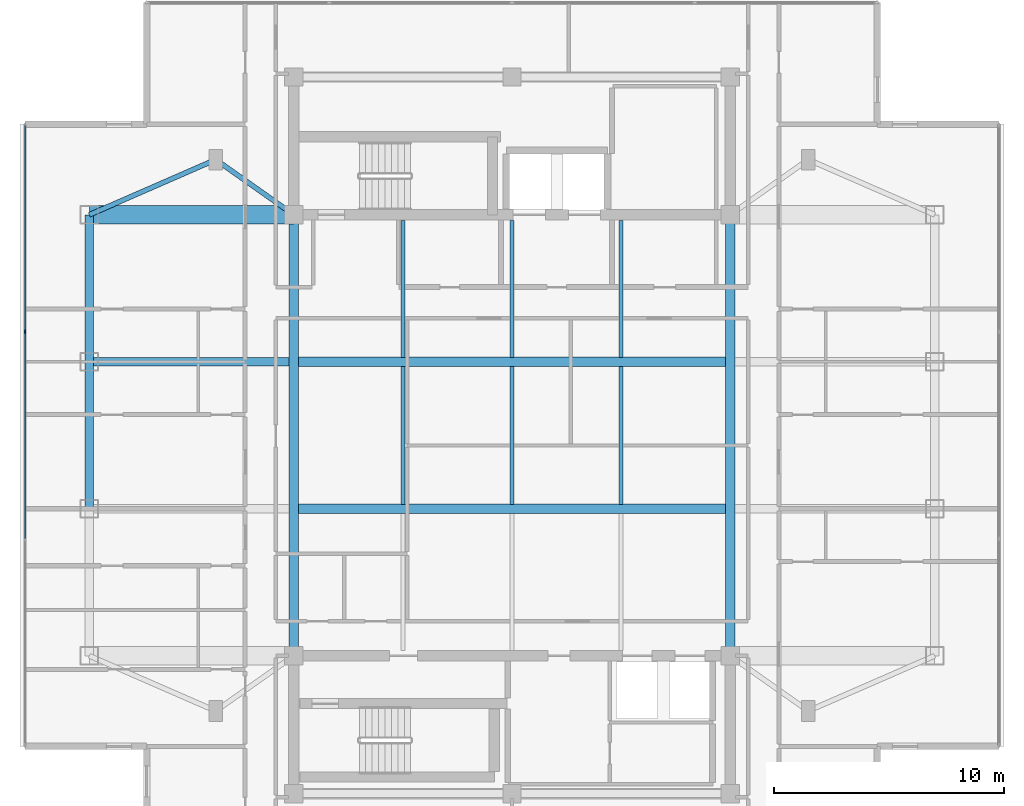
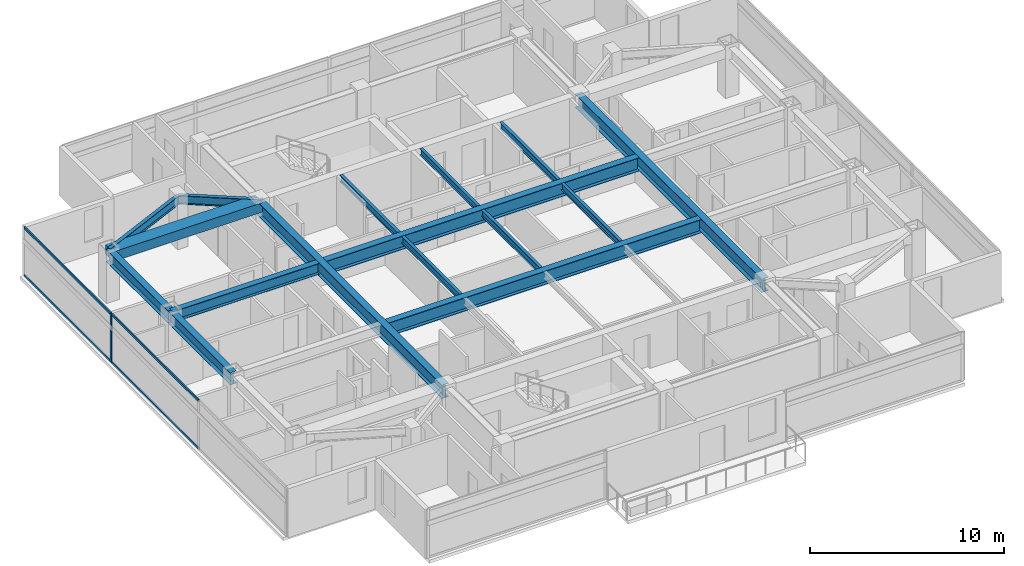
# One storey, part 3 of 14: 16 beams, 5 members, 1 element without a shape of its own.
"""IFC4 building model written with IfcOpenShell, lengths in metres."""

import ifcopenshell
import ifcopenshell.guid

model = None  # the IFC model being written
_history = None  # IfcOwnerHistory: only IFC2X3 demands one
_inside = {}  # id of a spatial element -> (the spatial element, [elements in it])
_under = {}  # id of a project, library or spatial element -> (it, [spatial elements below it])
_declared = {}  # id of a project -> (the project, [libraries it declares])
_typed = {}  # id of a type object -> (the type object, [elements of that type])
_made_of = {}  # id of a material, layer set ... -> (it, [elements and type objects made of it])


def new_model(schema):
    """Start an empty IFC model of exactly this schema.

    Asked for "IFC4X3", IfcOpenShell would pick the latest addendum, in which some entities
    have other attributes; the version numbers below select the first issue.
    IFC2X3 requires an IfcOwnerHistory on every rooted entity: one is made here for all.
    """
    global model, _history
    if schema == "IFC4X3":
        model = ifcopenshell.file(schema_version=(4, 3, 0, 0))
    else:
        model = ifcopenshell.file(schema=schema)
    _inside.clear()
    _under.clear()
    _declared.clear()
    _typed.clear()
    _made_of.clear()
    _history = None
    if model.schema == "IFC2X3":
        org = make("IfcOrganization", Name="unknown")
        user = make(
            "IfcPersonAndOrganization",
            ThePerson=make("IfcPerson", FamilyName="unknown"),
            TheOrganization=org,
        )
        app = make(
            "IfcApplication",
            ApplicationDeveloper=org,
            Version="unknown",
            ApplicationFullName="unknown",
            ApplicationIdentifier="unknown",
        )
        _history = make(
            "IfcOwnerHistory",
            OwningUser=user,
            OwningApplication=app,
            ChangeAction="ADDED",
            CreationDate=0,
        )
    return model


def make(cls, **values):
    """One entity of the class cls with the attributes given. An attribute that is None is left unset."""
    return model.create_entity(
        cls, **{name: value for name, value in values.items() if value is not None}
    )


def rooted(cls, **values):
    """An entity with a GlobalId (a new one), such as an element, a storey or a relation."""
    return make(cls, GlobalId=ifcopenshell.guid.new(), OwnerHistory=_history, **values)


def si_unit(unit_type, name, prefix=None):
    """IfcSIUnit, for example si_unit("LENGTHUNIT", "METRE", prefix="MILLI")."""
    return make("IfcSIUnit", UnitType=unit_type, Prefix=prefix, Name=name)


def assignment(units):
    """IfcUnitAssignment: the units of a project."""
    return None if units is None else make("IfcUnitAssignment", Units=units)


def point(xyz):
    """IfcCartesianPoint."""
    return None if xyz is None else make("IfcCartesianPoint", Coordinates=xyz)


def direction(xyz):
    """IfcDirection."""
    return None if xyz is None else make("IfcDirection", DirectionRatios=xyz)


def frame(location, z_axis=None, x_axis=None):
    """IfcAxis2Placement3D, a coordinate frame: its origin and axes. An axis left out is left unset."""
    return make(
        "IfcAxis2Placement3D",
        Location=point(location),
        Axis=direction(z_axis),
        RefDirection=direction(x_axis),
    )


def frame_2d(location, x_axis=None):
    """IfcAxis2Placement2D, a coordinate frame in the plane: its origin and x axis."""
    return make(
        "IfcAxis2Placement2D", Location=point(location), RefDirection=direction(x_axis)
    )


def origin():
    """The frame at (0, 0, 0) with its axes left unset."""
    return frame((0.0, 0.0, 0.0))


def origin_2d():
    """The frame at (0, 0) in the plane with its x axis left unset."""
    return frame_2d((0.0, 0.0))


def place(relative_to, where):
    """IfcLocalPlacement: puts the frame where relative to a parent placement (None: the world)."""
    return make(
        "IfcLocalPlacement", PlacementRelTo=relative_to, RelativePlacement=where
    )


def context(
    kind, dimensions, precision=None, world=None, true_north=None, identifier=None
):
    """IfcGeometricRepresentationContext, for example the 3D "Model" context."""
    return make(
        "IfcGeometricRepresentationContext",
        ContextIdentifier=identifier,
        ContextType=kind,
        CoordinateSpaceDimension=dimensions,
        Precision=precision,
        WorldCoordinateSystem=world,
        TrueNorth=true_north,
    )


def subcontext(parent, identifier, kind, view, scale=None):
    """IfcGeometricRepresentationSubContext, for example "Body" below "Model"."""
    return make(
        "IfcGeometricRepresentationSubContext",
        ContextIdentifier=identifier,
        ContextType=kind,
        ParentContext=parent,
        TargetScale=scale,
        TargetView=view,
    )


def project(units=None, contexts=None):
    """IfcProject with its units and contexts."""
    return rooted(
        "IfcProject",
        Name="project",
        RepresentationContexts=contexts,
        UnitsInContext=assignment(units),
    )


def spatial(cls, under=None, at=None, **own):
    """A site, building, storey or space (cls), placed at a placement, below another one or the project."""
    s = rooted(cls, ObjectPlacement=at, **own)
    if under is not None:
        _under.setdefault(under.id(), (under, []))[1].append(s)
    return s


def profile(cls, at=None, kind="AREA", **sizes):
    """A parametric profile (cls). Its sizes go by their IFC names, for example OverallWidth=200.0."""
    return make(cls, ProfileType=kind, Position=at, **sizes)


def rectangle(**sizes):
    """IfcRectangleProfileDef."""
    return profile("IfcRectangleProfileDef", **sizes)


def i_section(**sizes):
    """IfcIShapeProfileDef."""
    return profile("IfcIShapeProfileDef", **sizes)


def extrude(swept, where, along, depth):
    """IfcExtrudedAreaSolid: the profile swept, set in the frame where, extruded along a direction by depth."""
    return make(
        "IfcExtrudedAreaSolid",
        SweptArea=swept,
        Position=where,
        ExtrudedDirection=direction(along),
        Depth=depth,
    )


def shape(context_of_items, identifier, shape_type, items):
    """IfcShapeRepresentation: the items that make up one representation, for example the "Body"."""
    return make(
        "IfcShapeRepresentation",
        ContextOfItems=context_of_items,
        RepresentationIdentifier=identifier,
        RepresentationType=shape_type,
        Items=items,
    )


def material(Name=None, Category=None):
    """IfcMaterial."""
    return make("IfcMaterial", Name=Name, Category=Category)


def material_profile(
    of_material, cross_section, Name=None, Category=None, Priority=None
):
    """IfcMaterialProfile: a cross section and its material."""
    return make(
        "IfcMaterialProfile",
        Name=Name,
        Material=of_material,
        Profile=cross_section,
        Priority=Priority,
        Category=Category,
    )


def profile_set(profiles, Name=None, composite=None):
    """IfcMaterialProfileSet."""
    return make(
        "IfcMaterialProfileSet",
        Name=Name,
        MaterialProfiles=profiles,
        CompositeProfile=composite,
    )


def made_of(thing, what):
    """Note that an element or type object is made of a material, layer set ...; save() writes the relation."""
    if what is not None:
        _made_of.setdefault(what.id(), (what, []))[1].append(thing)
    return thing


def type_object(cls, material=None, **own):
    """A type object (cls), such as IfcWallType, which elements share."""
    return made_of(rooted(cls, **own), material)


def element(
    cls,
    number,
    at=None,
    inside=None,
    cuts=None,
    type_object=None,
    material=None,
    context=None,
    identifier="Body",
    shape_type=None,
    held_by="IfcProductDefinitionShape",
    body=None,
    shapes=None,
    **own,
):
    """One element of the class cls, such as IfcWall. Its Tag is "e" and its number.

    at: its placement. inside: the storey or other place that contains it. cuts: it is an
    opening in that element (IfcRelVoidsElement). A single representation is given by context,
    identifier, shape_type and body (its items); several are given by shapes. held_by: the class
    of the entity that holds the representations. save() writes the other relations.
    """
    e = rooted(cls, Tag="e%d" % number, ObjectPlacement=at, **own)
    if body is not None:
        shapes = [shape(context, identifier, shape_type, body)]
    if shapes is not None:
        e.Representation = make(held_by, Representations=shapes)
    if inside is not None:
        _inside.setdefault(inside.id(), (inside, []))[1].append(e)
    if cuts is not None:
        rooted(
            "IfcRelVoidsElement", RelatingBuildingElement=cuts, RelatedOpeningElement=e
        )
    if type_object is not None:
        _typed.setdefault(type_object.id(), (type_object, []))[1].append(e)
    return made_of(e, material)


def aggregate(whole, parts):
    """IfcRelAggregates: a whole, such as a stair, and the parts it consists of."""
    return rooted("IfcRelAggregates", RelatingObject=whole, RelatedObjects=parts)


def save(model, path):
    """Write the relations noted so far, then the file.

    IfcRelAggregates (storeys below a building ...), IfcRelContainedInSpatialStructure (elements
    in a storey), IfcRelDefinesByType, IfcRelAssociatesMaterial and IfcRelDeclares: one each for
    every whole, place, type object, material and project.
    """
    for whole, parts in _under.values():
        aggregate(whole, parts)
    for where, things in _inside.values():
        rooted(
            "IfcRelContainedInSpatialStructure",
            RelatedElements=things,
            RelatingStructure=where,
        )
    for kind, things in _typed.values():
        rooted("IfcRelDefinesByType", RelatedObjects=things, RelatingType=kind)
    for what, things in _made_of.values():
        rooted("IfcRelAssociatesMaterial", RelatedObjects=things, RelatingMaterial=what)
    for by, libraries in _declared.values():
        rooted("IfcRelDeclares", RelatingContext=by, RelatedDefinitions=libraries)
    model.write(path)


model = new_model("IFC4")

# Units and contexts
model_context = context("Model", 3, precision=1e-05, world=origin(), true_north=direction((0.0, 1.0)))
body_context = subcontext(model_context, "Body", "Model", "MODEL_VIEW")
ifc_project = project(units=[si_unit("LENGTHUNIT", "METRE"), si_unit("AREAUNIT", "SQUARE_METRE"), si_unit("VOLUMEUNIT", "CUBIC_METRE"), si_unit("PLANEANGLEUNIT", "RADIAN"), si_unit("MASSUNIT", "GRAM", prefix="KILO")], contexts=[model_context])

# Site, building, storey
site_placement = place(None, origin())
site = spatial("IfcSite", under=ifc_project, at=site_placement, CompositionType="ELEMENT")
building_placement = place(site_placement, origin())
building = spatial("IfcBuilding", under=site, at=building_placement, Name="Mirazonda Arch Towers", CompositionType="ELEMENT")
storey_placement = place(building_placement, frame((0.0, 0.0, 232.60009765625)))
storey = spatial("IfcBuildingStorey", under=building, at=storey_placement, Name="L66", CompositionType="ELEMENT", Elevation=232.60009765625)

# Beams
ifc_material_1 = material(Name="Steel ASTM A992 Grade 50", Category="steel")
ifc_material_profile_1 = material_profile(ifc_material_1, i_section(OverallWidth=0.381103515625, OverallDepth=0.77294921875, WebThickness=0.0166015625, FlangeThickness=0.027099609375, at=origin_2d()), Name="W30X173")
ifc_profile_set_1 = profile_set([ifc_material_profile_1], Name="Steel ASTM A992 Grade 50")
beam_type_1 = type_object("IfcBeamType", Name="BM-EXT-W30X173", PredefinedType="USERDEFINED", material=ifc_profile_set_1)
beam_1_placement = place(storey_placement, frame((2.10009765625, 24.800048828125, 2.71337890625), z_axis=(0.0, 1.0, 0.0), x_axis=(-1.0, 0.0, 0.0)))
element("IfcBeam", 1, at=beam_1_placement, inside=storey, type_object=beam_type_1, Name="L66 Floor Beam BM-T1-L66-NS-W-24", ObjectType="GIRDER", PredefinedType="USERDEFINED", context=body_context, shape_type="SweptSolid", body=[
    extrude(i_section(OverallWidth=0.381103515625, OverallDepth=0.77294921875, WebThickness=0.0166015625, FlangeThickness=0.027099609375, at=origin_2d()), origin(), (0.0, 0.0, 1.0), 6.39990234375),
])
beam_2_placement = place(storey_placement, frame((2.10009765625, 31.199951171875, 2.71337890625), z_axis=(0.0, 1.0, 0.0), x_axis=(-1.0, 0.0, 0.0)))
element("IfcBeam", 2, at=beam_2_placement, inside=storey, type_object=beam_type_1, Name="L66 Floor Beam BM-T1-L66-NS-W-31", ObjectType="GIRDER", PredefinedType="USERDEFINED", context=body_context, shape_type="SweptSolid", body=[
    extrude(i_section(OverallWidth=0.381103515625, OverallDepth=0.77294921875, WebThickness=0.0166015625, FlangeThickness=0.027099609375, at=origin_2d()), origin(), (0.0, 0.0, 1.0), 6.400146484375),
])
ifc_material_profile_2 = material_profile(ifc_material_1, i_section(OverallWidth=0.180908203125, OverallDepth=0.4169921875, WebThickness=0.010986328125, FlangeThickness=0.018310546875, at=origin_2d()), Name="W16X57")
ifc_profile_set_2 = profile_set([ifc_material_profile_2], Name="Steel ASTM A992 Grade 50")
beam_type_2 = type_object("IfcBeamType", Name="BM-INT-W16X57", PredefinedType="JOIST", material=ifc_profile_set_2)
beam_3_placement = place(storey_placement, frame((15.75, 31.39599609375, 2.891357421875), z_axis=(0.0, 1.0, 0.0), x_axis=(-1.0, 0.0, 0.0)))
element("IfcBeam", 3, at=beam_3_placement, inside=storey, type_object=beam_type_2, Name="L66 Floor Beam BM-T1-L66-J-157-31", PredefinedType="JOIST", context=body_context, shape_type="SweptSolid", body=[
    extrude(i_section(OverallWidth=0.180908203125, OverallDepth=0.4169921875, WebThickness=0.010986328125, FlangeThickness=0.018310546875, at=origin_2d()), origin(), (0.0, 0.0, 1.0), 5.964111328125),
])
beam_4_placement = place(storey_placement, frame((15.75, 24.99609375, 2.891357421875), z_axis=(0.0, 1.0, 0.0), x_axis=(-1.0, 0.0, 0.0)))
element("IfcBeam", 4, at=beam_4_placement, inside=storey, type_object=beam_type_2, Name="L66 Floor Beam BM-T1-L66-J-157-24", PredefinedType="JOIST", context=body_context, shape_type="SweptSolid", body=[
    extrude(i_section(OverallWidth=0.180908203125, OverallDepth=0.4169921875, WebThickness=0.010986328125, FlangeThickness=0.018310546875, at=origin_2d()), origin(), (0.0, 0.0, 1.0), 6.0078125),
])
beam_5_placement = place(storey_placement, frame((20.5, 31.39599609375, 2.891357421875), z_axis=(0.0, 1.0, 0.0), x_axis=(-1.0, 0.0, 0.0)))
element("IfcBeam", 5, at=beam_5_placement, inside=storey, type_object=beam_type_2, Name="L66 Floor Beam BM-T1-L66-J-205-31", PredefinedType="JOIST", context=body_context, shape_type="SweptSolid", body=[
    extrude(i_section(OverallWidth=0.180908203125, OverallDepth=0.4169921875, WebThickness=0.010986328125, FlangeThickness=0.018310546875, at=origin_2d()), origin(), (0.0, 0.0, 1.0), 5.964111328125),
])
beam_6_placement = place(storey_placement, frame((20.5, 24.99609375, 2.891357421875), z_axis=(0.0, 1.0, 0.0), x_axis=(-1.0, 0.0, 0.0)))
element("IfcBeam", 6, at=beam_6_placement, inside=storey, type_object=beam_type_2, Name="L66 Floor Beam BM-T1-L66-J-205-24", PredefinedType="JOIST", context=body_context, shape_type="SweptSolid", body=[
    extrude(i_section(OverallWidth=0.180908203125, OverallDepth=0.4169921875, WebThickness=0.010986328125, FlangeThickness=0.018310546875, at=origin_2d()), origin(), (0.0, 0.0, 1.0), 6.0078125),
])
beam_7_placement = place(storey_placement, frame((25.25, 31.39599609375, 2.891357421875), z_axis=(0.0, 1.0, 0.0), x_axis=(-1.0, 0.0, 0.0)))
element("IfcBeam", 7, at=beam_7_placement, inside=storey, type_object=beam_type_2, Name="L66 Floor Beam BM-T1-L66-J-252-31", PredefinedType="JOIST", context=body_context, shape_type="SweptSolid", body=[
    extrude(i_section(OverallWidth=0.180908203125, OverallDepth=0.4169921875, WebThickness=0.010986328125, FlangeThickness=0.018310546875, at=origin_2d()), origin(), (0.0, 0.0, 1.0), 5.964111328125),
])
beam_8_placement = place(storey_placement, frame((25.25, 24.99609375, 2.891357421875), z_axis=(0.0, 1.0, 0.0), x_axis=(-1.0, 0.0, 0.0)))
element("IfcBeam", 8, at=beam_8_placement, inside=storey, type_object=beam_type_2, Name="L66 Floor Beam BM-T1-L66-J-252-24", PredefinedType="JOIST", context=body_context, shape_type="SweptSolid", body=[
    extrude(i_section(OverallWidth=0.180908203125, OverallDepth=0.4169921875, WebThickness=0.010986328125, FlangeThickness=0.018310546875, at=origin_2d()), origin(), (0.0, 0.0, 1.0), 6.0078125),
])
ifc_material_profile_3 = material_profile(ifc_material_1, i_section(OverallWidth=0.214111328125, OverallDepth=0.549072265625, WebThickness=0.0146484375, FlangeThickness=0.023681640625, at=origin_2d()), Name="W21X93")
ifc_profile_set_3 = profile_set([ifc_material_profile_3], Name="Steel ASTM A992 Grade 50")
beam_type_3 = type_object("IfcBeamType", Name="BM-INT-W21X93", PredefinedType="BEAM", material=ifc_profile_set_3)
beam_9_placement = place(storey_placement, frame((7.60009765625, 40.0, 2.825439453125), z_axis=(0.816971114901, -0.576678591087, 0.0), x_axis=(0.576678591087, 0.816971114901, 0.0)))
element("IfcBeam", 9, at=beam_9_placement, inside=storey, type_object=beam_type_3, Name="L66 Floor Beam BM-T1-L66-PL-NW1", PredefinedType="BEAM", context=body_context, shape_type="SweptSolid", body=[
    extrude(i_section(OverallWidth=0.214111328125, OverallDepth=0.549072265625, WebThickness=0.0146484375, FlangeThickness=0.023681640625, at=origin_2d()), origin(), (0.0, 0.0, 1.0), 4.16162109375),
])
beam_10_placement = place(storey_placement, frame((7.60009765625, 40.0, 2.825439453125), z_axis=(-0.916545343703, -0.399930785183, 0.0), x_axis=(0.399930785183, -0.916545343703, 0.0)))
element("IfcBeam", 10, at=beam_10_placement, inside=storey, type_object=beam_type_3, Name="L66 Floor Beam BM-T1-L66-PL-NW2", PredefinedType="BEAM", context=body_context, shape_type="SweptSolid", body=[
    extrude(i_section(OverallWidth=0.214111328125, OverallDepth=0.549072265625, WebThickness=0.0146484375, FlangeThickness=0.023681640625, at=origin_2d()), origin(), (0.0, 0.0, 1.0), 6.000732421875),
])
ifc_material_profile_4 = material_profile(ifc_material_1, i_section(OverallWidth=0.35498046875, OverallDepth=0.696044921875, WebThickness=0.015380859375, FlangeThickness=0.02490234375, at=origin_2d()), Name="W27X146")
ifc_profile_set_4 = profile_set([ifc_material_profile_4], Name="Steel ASTM A992 Grade 50")
beam_type_4 = type_object("IfcBeamType", Name="BM-INT-W27X146", PredefinedType="BEAM", material=ifc_profile_set_4)
beam_11_placement = place(storey_placement, frame((2.10009765625, 31.199951171875, 2.751953125), z_axis=(1.0, 0.0, 0.0), x_axis=(0.0, 1.0, 0.0)))
element("IfcBeam", 11, at=beam_11_placement, inside=storey, type_object=beam_type_4, Name="L66 Floor Beam BM-T1-L66-GW3", PredefinedType="BEAM", context=body_context, shape_type="SweptSolid", body=[
    extrude(i_section(OverallWidth=0.35498046875, OverallDepth=0.696044921875, WebThickness=0.015380859375, FlangeThickness=0.02490234375, at=origin_2d()), origin(), (0.0, 0.0, 1.0), 8.699951171875),
])
ifc_material_profile_5 = material_profile(ifc_material_1, i_section(OverallWidth=0.39990234375, OverallDepth=0.85595703125, WebThickness=0.018310546875, FlangeThickness=0.029296875, at=origin_2d()), Name="W33X201")
ifc_profile_set_5 = profile_set([ifc_material_profile_5], Name="Steel ASTM A992 Grade 50")
beam_type_5 = type_object("IfcBeamType", Name="BM-INT-W33X201", PredefinedType="USERDEFINED", material=ifc_profile_set_5)
for number, where, z_axis, x_axis, name in (
    (12, (11.199951171875, 24.800048828125, 2.671875), (1.0, 0.0, 0.0), (0.0, 1.0, 0.0), "L66 Floor Beam BM-T1-L66-GC2"),
    (13, (11.199951171875, 31.199951171875, 2.671875), (1.0, 0.0, 0.0), (0.0, 1.0, 0.0), "L66 Floor Beam BM-T1-L66-GC3"),
):
    element("IfcBeam", number, at=place(storey_placement, frame(where, z_axis=z_axis, x_axis=x_axis)), inside=storey, type_object=beam_type_5, Name=name, ObjectType="GIRDER", PredefinedType="USERDEFINED", context=body_context, shape_type="SweptSolid", body=[
        extrude(i_section(OverallWidth=0.39990234375, OverallDepth=0.85595703125, WebThickness=0.018310546875, FlangeThickness=0.029296875, at=origin_2d()), origin(), (0.0, 0.0, 1.0), 18.60009765625),
    ])
for number, where, z_axis, x_axis, name in (
    (14, (11.0, 18.39990234375, 2.671875), (0.0, 1.0, 0.0), (-1.0, 0.0, 0.0), "L66 Floor Beam BM-T1-L66-NS-CW-FULL"),
    (15, (30.0, 18.39990234375, 2.671875), (0.0, 1.0, 0.0), (-1.0, 0.0, 0.0), "L66 Floor Beam BM-T1-L66-NS-CE-FULL"),
):
    element("IfcBeam", number, at=place(storey_placement, frame(where, z_axis=z_axis, x_axis=x_axis)), inside=storey, type_object=beam_type_5, Name=name, ObjectType="GIRDER", PredefinedType="USERDEFINED", context=body_context, shape_type="SweptSolid", body=[
        extrude(i_section(OverallWidth=0.39990234375, OverallDepth=0.85595703125, WebThickness=0.018310546875, FlangeThickness=0.029296875, at=origin_2d()), origin(), (0.0, 0.0, 1.0), 19.2001953125),
    ])
ifc_material_2 = material(Name="Concrete C60/75", Category="concrete")
ifc_material_profile_6 = material_profile(ifc_material_2, rectangle(XDim=0.800048828125, YDim=0.60009765625, at=origin_2d()), Name="RCCB800x600")
ifc_profile_set_6 = profile_set([ifc_material_profile_6], Name="Concrete C60/75")
beam_type_6 = type_object("IfcBeamType", Name="CB-INT-RCCB800x600", PredefinedType="SPANDREL", material=ifc_profile_set_6)
beam_12_placement = place(storey_placement, frame((2.10009765625, 37.60009765625, 2.7998046875), z_axis=(1.0, 0.0, 0.0), x_axis=(0.0, 1.0, 0.0)))
element("IfcBeam", 16, at=beam_12_placement, inside=storey, type_object=beam_type_6, Name="L66 Floor Beam CBC-T1-L66-NW", PredefinedType="SPANDREL", context=body_context, shape_type="SweptSolid", body=[
    extrude(rectangle(XDim=0.800048828125, YDim=0.60009765625, at=origin_2d()), origin(), (0.0, 0.0, 1.0), 8.89990234375),
])

# Curtain wall, members
ifc_material_3 = material(Name="Anodised Aluminium and Low-E Glass", Category="aluminium")
curtain_wall_type = type_object("IfcCurtainWallType", Name="CW-RES-UNIT", PredefinedType="NOTDEFINED", material=ifc_material_3)
curtain_wall_placement = place(storey_placement, origin())
curtain_wall = element("IfcCurtainWall", 17, at=curtain_wall_placement, inside=storey, type_object=curtain_wall_type, Name="L66 T1 W Facade CW-L66-T1-W", PredefinedType="NOTDEFINED")
ifc_material_4 = material(Name="Anodised Aluminium Alloy", Category="aluminium")
ifc_material_profile_7 = material_profile(ifc_material_4, rectangle(XDim=0.074951171875, YDim=0.175048828125, at=origin_2d()), Name="ALU-MULL-75x175")
ifc_profile_set_7 = profile_set([ifc_material_profile_7], Name="Anodised Aluminium Alloy")
member_type_1 = type_object("IfcMemberType", Name="MULL-CW-RES-UNIT", PredefinedType="MULLION", material=ifc_profile_set_7)
member_1_placement = place(storey_placement, frame((-0.699951171875, 32.513916015625, 0.0), z_axis=(0.0, 0.0, 1.0), x_axis=(1.0, 0.0, 0.0)))
member_1 = element("IfcMember", 18, at=member_1_placement, type_object=member_type_1, Name="CW-104 mullion 2", PredefinedType="MULLION", context=body_context, shape_type="SweptSolid", body=[
    extrude(rectangle(XDim=0.074951171875, YDim=0.175048828125, at=origin_2d()), origin(), (0.0, 0.0, 1.0), 3.079833984375),
])
ifc_material_profile_8 = material_profile(ifc_material_4, rectangle(XDim=0.074951171875, YDim=0.155029296875, at=origin_2d()), Name="ALU-TRAN-75x155")
ifc_profile_set_8 = profile_set([ifc_material_profile_8], Name="Anodised Aluminium Alloy")
member_type_2 = type_object("IfcMemberType", Name="TRAN-CW-RES-UNIT", PredefinedType="USERDEFINED", material=ifc_profile_set_8)
member_2_placement = place(storey_placement, frame((-0.699951171875, 41.467041015625, 0.037353515625), z_axis=(0.0, -1.0, 0.0), x_axis=(1.0, 0.0, 0.0)))
member_2 = element("IfcMember", 19, at=member_2_placement, type_object=member_type_2, Name="CW-104 transom 1.1", ObjectType="TRANSOM", PredefinedType="USERDEFINED", context=body_context, shape_type="SweptSolid", body=[
    extrude(rectangle(XDim=0.074951171875, YDim=0.155029296875, at=origin_2d()), origin(), (0.0, 0.0, 1.0), 8.91552734375),
])
member_3_placement = place(storey_placement, frame((-0.699951171875, 41.467041015625, 3.04248046875), z_axis=(0.0, -1.0, 0.0), x_axis=(1.0, 0.0, 0.0)))
member_3 = element("IfcMember", 20, at=member_3_placement, type_object=member_type_2, Name="CW-104 transom 1.2", ObjectType="TRANSOM", PredefinedType="USERDEFINED", context=body_context, shape_type="SweptSolid", body=[
    extrude(rectangle(XDim=0.074951171875, YDim=0.155029296875, at=origin_2d()), origin(), (0.0, 0.0, 1.0), 8.91552734375),
])
member_4_placement = place(storey_placement, frame((-0.699951171875, 32.4765625, 0.037353515625), z_axis=(0.0, -1.0, 0.0), x_axis=(1.0, 0.0, 0.0)))
member_4 = element("IfcMember", 21, at=member_4_placement, type_object=member_type_2, Name="CW-104 transom 2.1", ObjectType="TRANSOM", PredefinedType="USERDEFINED", context=body_context, shape_type="SweptSolid", body=[
    extrude(rectangle(XDim=0.074951171875, YDim=0.155029296875, at=origin_2d()), origin(), (0.0, 0.0, 1.0), 8.953125),
])
member_5_placement = place(storey_placement, frame((-0.699951171875, 32.4765625, 3.04248046875), z_axis=(0.0, -1.0, 0.0), x_axis=(1.0, 0.0, 0.0)))
member_5 = element("IfcMember", 22, at=member_5_placement, type_object=member_type_2, Name="CW-104 transom 2.2", ObjectType="TRANSOM", PredefinedType="USERDEFINED", context=body_context, shape_type="SweptSolid", body=[
    extrude(rectangle(XDim=0.074951171875, YDim=0.155029296875, at=origin_2d()), origin(), (0.0, 0.0, 1.0), 8.953125),
])
aggregate(curtain_wall, [member_1, member_2, member_3, member_4, member_5])

save(model, "model.ifc")
